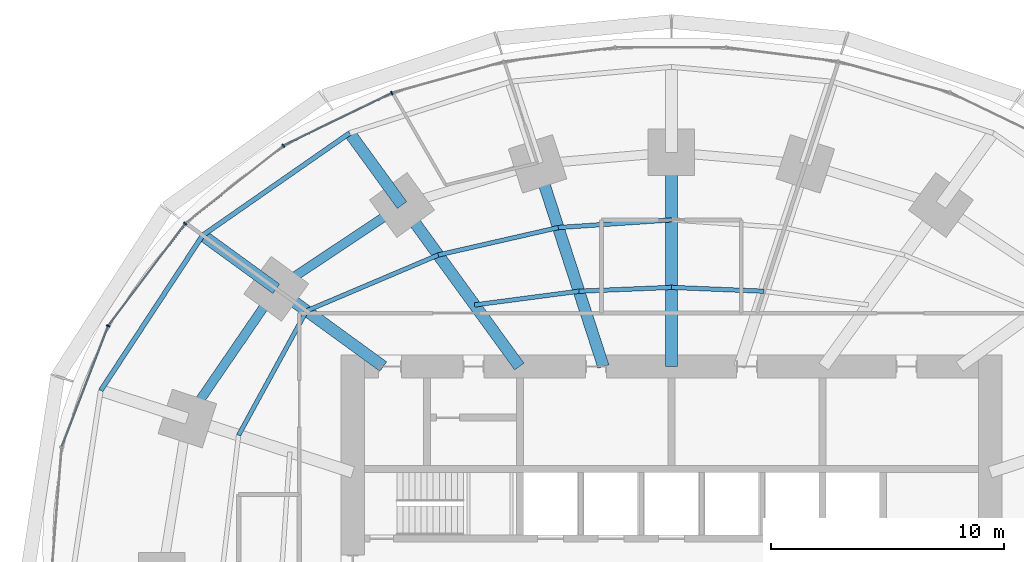
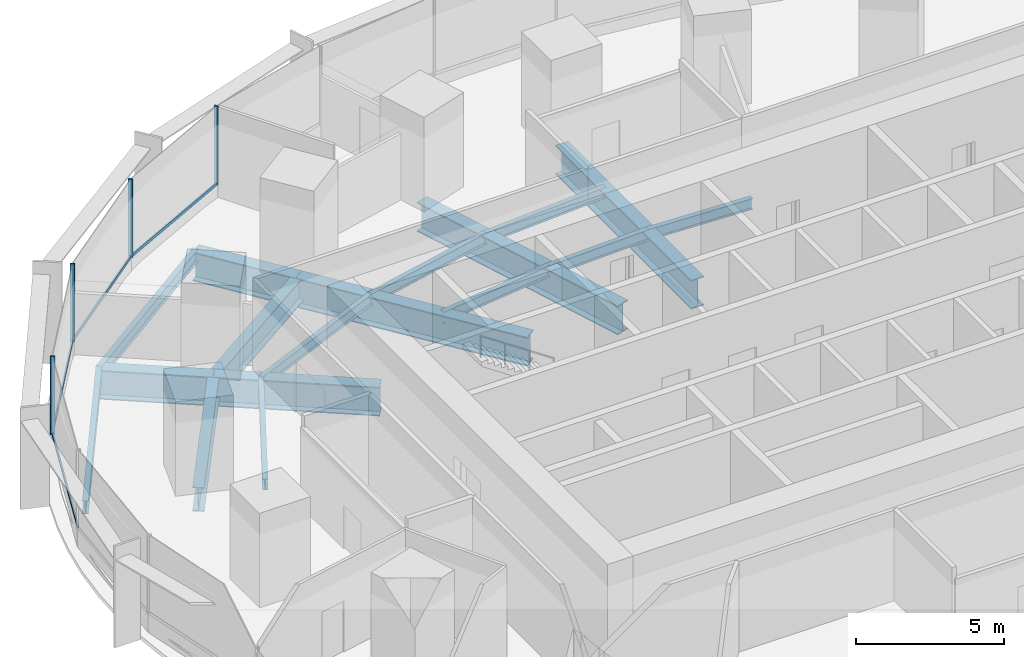
# One storey, part 7 of 15: 17 beams, 8 members, 1 element without a shape of its own.
"""IFC4 building model written with IfcOpenShell, lengths in metres."""

from ifc_helpers import new_model, si_unit, direction, frame, origin, origin_2d, place, context, subcontext, project, spatial, rectangle, i_section, extrude, material, material_profile, profile_set, type_object, element, aggregate, save


model = new_model("IFC4")

# Units and contexts
model_context = context("Model", 3, precision=1e-05, world=origin(), true_north=direction((0.0, 1.0)))
body_context = subcontext(model_context, "Body", "Model", "MODEL_VIEW")
ifc_project = project(units=[si_unit("LENGTHUNIT", "METRE"), si_unit("AREAUNIT", "SQUARE_METRE"), si_unit("VOLUMEUNIT", "CUBIC_METRE"), si_unit("PLANEANGLEUNIT", "RADIAN"), si_unit("MASSUNIT", "GRAM", prefix="KILO")], contexts=[model_context])

# Site, building, storey
site_placement = place(None, origin())
site = spatial("IfcSite", under=ifc_project, at=site_placement, CompositionType="ELEMENT")
building_placement = place(site_placement, origin())
building = spatial("IfcBuilding", under=site, at=building_placement, Name="Marramba Exchange Tower", CompositionType="ELEMENT")
storey_placement = place(building_placement, frame((0.0, 0.0, 65.800048828125)))
storey = spatial("IfcBuildingStorey", under=building, at=storey_placement, Name="L15", CompositionType="ELEMENT", Elevation=65.800048828125)

# Beams
ifc_material_1 = material(Name="Steel AS/NZS 3679.2 grade 300", Category="steel")
ifc_material_profile_1 = material_profile(ifc_material_1, i_section(OverallWidth=0.5, OverallDepth=1.199951171875, WebThickness=0.01611328125, FlangeThickness=0.0400390625, at=origin_2d()), Name="1200WB455")
ifc_profile_set_1 = profile_set([ifc_material_profile_1], Name="Steel AS/NZS 3679.2 grade 300")
beam_type_1 = type_object("IfcBeamType", Name="Cantilever girder 1200WB455", PredefinedType="BEAM", material=ifc_profile_set_1)
beam_1_placement = place(storey_placement, frame((-11.581298828125, 15.9404296875, -0.760009765625), z_axis=(-0.587795827483, 0.809009310944, 0.0), x_axis=(-0.809009310944, -0.587795827483, 0.0)))
element("IfcBeam", 1, at=beam_1_placement, inside=storey, type_object=beam_type_1, Name="Cantilever girder L15 TC08", PredefinedType="BEAM", context=body_context, shape_type="SweptSolid", body=[
    extrude(i_section(OverallWidth=0.5, OverallDepth=1.199951171875, WebThickness=0.01611328125, FlangeThickness=0.0400390625, at=origin_2d()), origin(), (0.0, 0.0, 1.0), 3.82421875),
])
beam_2_placement = place(storey_placement, frame((-16.98583984375, 12.3408203125, -0.760009765625), z_axis=(-0.808987260856, 0.587826174793, 0.0), x_axis=(-0.587826174793, -0.808987260856, 0.0)))
element("IfcBeam", 2, at=beam_2_placement, inside=storey, type_object=beam_type_1, Name="Cantilever girder L15 TC09", PredefinedType="BEAM", context=body_context, shape_type="SweptSolid", body=[
    extrude(i_section(OverallWidth=0.5, OverallDepth=1.199951171875, WebThickness=0.01611328125, FlangeThickness=0.0400390625, at=origin_2d()), origin(), (0.0, 0.0, 1.0), 3.90771484375),
])
ifc_material_2 = material(Name="Steel AS/NZS 3679.1 grade 300", Category="steel")
ifc_material_profile_2 = material_profile(ifc_material_2, i_section(OverallWidth=0.18994140625, OverallDepth=0.4541015625, WebThickness=0.008544921875, FlangeThickness=0.0126953125, FilletRadius=0.011474609375, at=origin_2d()), Name="460UB67.1")
ifc_profile_set_2 = profile_set([ifc_material_profile_2], Name="Steel AS/NZS 3679.1 grade 300")
beam_type_2 = type_object("IfcBeamType", Name="Floor joist 460UB67.1", PredefinedType="JOIST", material=ifc_profile_set_2)
for number, where, z_axis, x_axis, name in (
    (3, (3.975830078125, 12.236083984375, -0.386962890625), (-0.999137002892, 0.041536122257, 0.0), (-0.041536122257, -0.999137002892, 0.0), "Joist L15 bay 05 row 1"),
    (4, (0.0, 12.4013671875, -0.386962890625), (-0.999137002892, -0.041536122257, 0.0), (0.041536122257, -0.999137002892, 0.0), "Joist L15 bay 06 row 1"),
):
    element("IfcBeam", number, at=place(storey_placement, frame(where, z_axis=z_axis, x_axis=x_axis)), inside=storey, type_object=beam_type_2, Name=name, PredefinedType="JOIST", context=body_context, shape_type="SweptSolid", body=[
        extrude(i_section(OverallWidth=0.18994140625, OverallDepth=0.4541015625, WebThickness=0.008544921875, FlangeThickness=0.0126953125, FilletRadius=0.011474609375, at=origin_2d()), origin(), (0.0, 0.0, 1.0), 3.979248046875),
    ])
beam_3_placement = place(storey_placement, frame((0.0, 15.302734375, -0.386962890625), z_axis=(-0.997702652202, -0.067745241816, 0.0), x_axis=(0.067745241816, -0.997702652202, 0.0)))
element("IfcBeam", 5, at=beam_3_placement, inside=storey, type_object=beam_type_2, Name="Joist L15 bay 06 row 2", PredefinedType="JOIST", context=body_context, shape_type="SweptSolid", body=[
    extrude(i_section(OverallWidth=0.18994140625, OverallDepth=0.4541015625, WebThickness=0.008544921875, FlangeThickness=0.0126953125, FilletRadius=0.011474609375, at=origin_2d()), origin(), (0.0, 0.0, 1.0), 4.8759765625),
])
beam_4_placement = place(storey_placement, frame((-3.975830078125, 12.236083984375, -0.386962890625), z_axis=(-0.991480538255, -0.130254912618, 0.0), x_axis=(0.130254912618, -0.991480538255, 0.0)))
element("IfcBeam", 6, at=beam_4_placement, inside=storey, type_object=beam_type_2, Name="Joist L15 bay 07 row 1", PredefinedType="JOIST", context=body_context, shape_type="SweptSolid", body=[
    extrude(i_section(OverallWidth=0.18994140625, OverallDepth=0.4541015625, WebThickness=0.008544921875, FlangeThickness=0.0126953125, FilletRadius=0.011474609375, at=origin_2d()), origin(), (0.0, 0.0, 1.0), 4.524658203125),
])
beam_5_placement = place(storey_placement, frame((-4.86474609375, 14.972412109375, -0.386962890625), z_axis=(-0.974859652292, -0.222819788916, 0.0), x_axis=(0.222819788916, -0.974859652292, 0.0)))
element("IfcBeam", 7, at=beam_5_placement, inside=storey, type_object=beam_type_2, Name="Joist L15 bay 07 row 2", PredefinedType="JOIST", context=body_context, shape_type="SweptSolid", body=[
    extrude(i_section(OverallWidth=0.18994140625, OverallDepth=0.4541015625, WebThickness=0.008544921875, FlangeThickness=0.0126953125, FilletRadius=0.011474609375, at=origin_2d()), origin(), (0.0, 0.0, 1.0), 5.2900390625),
])
beam_6_placement = place(storey_placement, frame((-10.021728515625, 13.793701171875, -0.386962890625), z_axis=(-0.920674336375, -0.390331610738, 0.0), x_axis=(0.390331610738, -0.920674336375, 0.0)))
element("IfcBeam", 8, at=beam_6_placement, inside=storey, type_object=beam_type_2, Name="Joist L15 bay 08 row 2", PredefinedType="JOIST", context=body_context, shape_type="SweptSolid", body=[
    extrude(i_section(OverallWidth=0.18994140625, OverallDepth=0.4541015625, WebThickness=0.008544921875, FlangeThickness=0.0126953125, FilletRadius=0.011474609375, at=origin_2d()), origin(), (0.0, 0.0, 1.0), 6.1484375),
])
beam_7_placement = place(storey_placement, frame((-15.682373046875, 11.393798828125, -0.386962890625), z_axis=(-0.479584443791, -0.877495732909, 0.0), x_axis=(0.877495732909, -0.479584443791, 0.0)))
element("IfcBeam", 9, at=beam_7_placement, inside=storey, type_object=beam_type_2, Name="Joist L15 bay 09 row 2", PredefinedType="JOIST", context=body_context, shape_type="SweptSolid", body=[
    extrude(i_section(OverallWidth=0.18994140625, OverallDepth=0.4541015625, WebThickness=0.008544921875, FlangeThickness=0.0126953125, FilletRadius=0.011474609375, at=origin_2d()), origin(), (0.0, 0.0, 1.0), 6.094970703125),
])
ifc_material_profile_3 = material_profile(ifc_material_1, i_section(OverallWidth=0.5, OverallDepth=1.199951171875, WebThickness=0.01611328125, FlangeThickness=0.0400390625, at=origin_2d()), Name="1200WB455")
ifc_profile_set_3 = profile_set([ifc_material_profile_3], Name="Steel AS/NZS 3679.2 grade 300")
beam_type_3 = type_object("IfcBeamType", Name="Radial girder 1200WB455", PredefinedType="BEAM", material=ifc_profile_set_3)
beam_8_placement = place(storey_placement, frame((0.0, 9.0, -0.760009765625), z_axis=(0.0, 1.0, 0.0), x_axis=(-1.0, 0.0, 0.0)))
element("IfcBeam", 10, at=beam_8_placement, inside=storey, type_object=beam_type_3, Name="Radial girder L15 TC06", PredefinedType="BEAM", context=body_context, shape_type="SweptSolid", body=[
    extrude(i_section(OverallWidth=0.5, OverallDepth=1.199951171875, WebThickness=0.01611328125, FlangeThickness=0.0400390625, at=origin_2d()), origin(), (0.0, 0.0, 1.0), 9.2041015625),
])
beam_9_placement = place(storey_placement, frame((-2.92431640625, 9.0, -0.760009765625), z_axis=(-0.309019754162, 0.951055619582, 0.0), x_axis=(-0.951055619582, -0.309019754162, 0.0)))
element("IfcBeam", 11, at=beam_9_placement, inside=storey, type_object=beam_type_3, Name="Radial girder L15 TC07", PredefinedType="BEAM", context=body_context, shape_type="SweptSolid", body=[
    extrude(i_section(OverallWidth=0.5, OverallDepth=1.199951171875, WebThickness=0.01611328125, FlangeThickness=0.0400390625, at=origin_2d()), origin(), (0.0, 0.0, 1.0), 9.15673828125),
])
beam_10_placement = place(storey_placement, frame((-6.538818359375, 9.0, -0.760009765625), z_axis=(-0.587782439969, 0.80901903764, 0.0), x_axis=(-0.80901903764, -0.587782439969, 0.0)))
element("IfcBeam", 12, at=beam_10_placement, inside=storey, type_object=beam_type_3, Name="Radial girder L15 TC08", PredefinedType="BEAM", context=body_context, shape_type="SweptSolid", body=[
    extrude(i_section(OverallWidth=0.5, OverallDepth=1.199951171875, WebThickness=0.01611328125, FlangeThickness=0.0400390625, at=origin_2d()), origin(), (0.0, 0.0, 1.0), 8.578857421875),
])
beam_11_placement = place(storey_placement, frame((-12.387451171875, 9.0, -0.760009765625), z_axis=(-0.809025746925, 0.587773205252, 0.0), x_axis=(-0.587773205252, -0.809025746925, 0.0)))
element("IfcBeam", 13, at=beam_11_placement, inside=storey, type_object=beam_type_3, Name="Radial girder L15 TC09", PredefinedType="BEAM", context=body_context, shape_type="SweptSolid", body=[
    extrude(i_section(OverallWidth=0.5, OverallDepth=1.199951171875, WebThickness=0.01611328125, FlangeThickness=0.0400390625, at=origin_2d()), origin(), (0.0, 0.0, 1.0), 5.683837890625),
])
ifc_material_profile_4 = material_profile(ifc_material_1, i_section(OverallWidth=0.39990234375, OverallDepth=1.0, WebThickness=0.01611328125, FlangeThickness=0.031982421875, at=origin_2d()), Name="1000WB322")
ifc_profile_set_4 = profile_set([ifc_material_profile_4], Name="Steel AS/NZS 3679.2 grade 300")
beam_type_4 = type_object("IfcBeamType", Name="Ring beam 1000WB322", PredefinedType="SPANDREL", material=ifc_profile_set_4)
beam_12_placement = place(storey_placement, frame((-11.581298828125, 15.9404296875, -0.66015625), z_axis=(-0.832293151443, -0.554335737673, 0.0), x_axis=(0.554335737673, -0.832293151443, 0.0)))
element("IfcBeam", 14, at=beam_12_placement, inside=storey, type_object=beam_type_4, Name="Ring beam L15 TC08-TC09", PredefinedType="SPANDREL", context=body_context, shape_type="SweptSolid", body=[
    extrude(i_section(OverallWidth=0.39990234375, OverallDepth=1.0, WebThickness=0.01611328125, FlangeThickness=0.031982421875, at=origin_2d()), origin(), (0.0, 0.0, 1.0), 6.49365234375),
])
beam_13_placement = place(storey_placement, frame((-16.98583984375, 12.3408203125, -0.66015625), z_axis=(-0.56516002054, -0.824981303535, 0.0), x_axis=(0.824981303535, -0.56516002054, 0.0)))
element("IfcBeam", 15, at=beam_13_placement, inside=storey, type_object=beam_type_4, Name="Ring beam L15 TC09-TC10", PredefinedType="SPANDREL", context=body_context, shape_type="SweptSolid", body=[
    extrude(i_section(OverallWidth=0.39990234375, OverallDepth=1.0, WebThickness=0.01611328125, FlangeThickness=0.031982421875, at=origin_2d()), origin(), (0.0, 0.0, 1.0), 6.763671875),
])
ifc_material_profile_5 = material_profile(ifc_material_2, i_section(OverallWidth=0.208984375, OverallDepth=0.528076171875, WebThickness=0.009521484375, FlangeThickness=0.01318359375, FilletRadius=0.013916015625, at=origin_2d()), Name="530UB82.0")
ifc_profile_set_5 = profile_set([ifc_material_profile_5], Name="Steel AS/NZS 3679.1 grade 300")
beam_type_5 = type_object("IfcBeamType", Name="Slab edge beam 530UB82.0", PredefinedType="SPANDREL", material=ifc_profile_set_5)
beam_14_placement = place(storey_placement, frame((-13.8291015625, 19.0341796875, -0.424072265625), z_axis=(-0.820842487183, -0.571154629882, 0.0), x_axis=(0.571154629882, -0.820842487183, 0.0)))
element("IfcBeam", 16, at=beam_14_placement, inside=storey, type_object=beam_type_5, Name="Slab edge beam L15 TC08-TC09", PredefinedType="SPANDREL", context=body_context, shape_type="SweptSolid", body=[
    extrude(i_section(OverallWidth=0.208984375, OverallDepth=0.528076171875, WebThickness=0.009521484375, FlangeThickness=0.01318359375, FilletRadius=0.013916015625, at=origin_2d()), origin(), (0.0, 0.0, 1.0), 7.697021484375),
])
beam_15_placement = place(storey_placement, frame((-20.147216796875, 14.637939453125, -0.424072265625), z_axis=(-0.549123544095, -0.835741188001, 0.0), x_axis=(0.835741188001, -0.549123544095, 0.0)))
element("IfcBeam", 17, at=beam_15_placement, inside=storey, type_object=beam_type_5, Name="Slab edge beam L15 TC09-TC10", PredefinedType="SPANDREL", context=body_context, shape_type="SweptSolid", body=[
    extrude(i_section(OverallWidth=0.208984375, OverallDepth=0.528076171875, WebThickness=0.009521484375, FlangeThickness=0.01318359375, FilletRadius=0.013916015625, at=origin_2d()), origin(), (0.0, 0.0, 1.0), 7.978759765625),
])

# Curtain wall, members
ifc_material_3 = material(Name="Aluminium framing, bronze anodised", Category="aluminium")
curtain_wall_type = type_object("IfcCurtainWallType", Name="Trading floor ribbon curtain wall", PredefinedType="USERDEFINED", material=ifc_material_3)
curtain_wall_placement = place(storey_placement, origin())
curtain_wall = element("IfcCurtainWall", 18, at=curtain_wall_placement, inside=storey, type_object=curtain_wall_type, Name="Curtain wall CW3 L15 F11-F15", ObjectType="RIBBON CURTAIN WALL", PredefinedType="USERDEFINED")
ifc_material_4 = material(Name="Aluminium mullion, bronze anodised", Category="aluminium")
ifc_material_profile_6 = material_profile(ifc_material_4, rectangle(XDim=0.159912109375, YDim=0.06005859375, at=origin_2d()), Name="CW3 mullion 60x160")
ifc_profile_set_6 = profile_set([ifc_material_profile_6], Name="Aluminium mullion, bronze anodised")
member_type_1 = type_object("IfcMemberType", Name="Trading floor ribbon curtain wall mullion", PredefinedType="MULLION", material=ifc_profile_set_6)
member_1_placement = place(storey_placement, frame((-12.016357421875, 20.7529296875, 0.800048828125), z_axis=(0.0, 0.0, 1.0), x_axis=(0.43596538664, -0.899963433508, 0.0)))
member_1 = element("IfcMember", 19, at=member_1_placement, type_object=member_type_1, Name="CW3 mullion 1", PredefinedType="MULLION", context=body_context, shape_type="SweptSolid", body=[
    extrude(rectangle(XDim=0.159912109375, YDim=0.06005859375, at=origin_2d()), origin(), (0.0, 0.0, 1.0), 3.239990234375),
])
member_2_placement = place(storey_placement, frame((-16.683837890625, 18.484619140625, 0.800048828125), z_axis=(0.0, 0.0, 1.0), x_axis=(0.620649730166, -0.784087949432, 0.0)))
member_2 = element("IfcMember", 20, at=member_2_placement, type_object=member_type_1, Name="CW3 mullion 1", PredefinedType="MULLION", context=body_context, shape_type="SweptSolid", body=[
    extrude(rectangle(XDim=0.159912109375, YDim=0.06005859375, at=origin_2d()), origin(), (0.0, 0.0, 1.0), 3.239990234375),
])
member_3_placement = place(storey_placement, frame((-20.8935546875, 15.142822265625, 0.800048828125), z_axis=(0.0, 0.0, 1.0), x_axis=(0.797748922445, -0.602989765036, 0.0)))
member_3 = element("IfcMember", 21, at=member_3_placement, type_object=member_type_1, Name="CW3 mullion 1", PredefinedType="MULLION", context=body_context, shape_type="SweptSolid", body=[
    extrude(rectangle(XDim=0.159912109375, YDim=0.06005859375, at=origin_2d()), origin(), (0.0, 0.0, 1.0), 3.239990234375),
])
member_4_placement = place(storey_placement, frame((-24.207275390625, 10.7451171875, 0.800048828125), z_axis=(0.0, 0.0, 1.0), x_axis=(0.933135256626, -0.359525510698, 0.0)))
member_4 = element("IfcMember", 22, at=member_4_placement, type_object=member_type_1, Name="CW3 mullion 1", PredefinedType="MULLION", context=body_context, shape_type="SweptSolid", body=[
    extrude(rectangle(XDim=0.159912109375, YDim=0.06005859375, at=origin_2d()), origin(), (0.0, 0.0, 1.0), 3.239990234375),
])
ifc_material_5 = material(Name="Aluminium transom, bronze anodised", Category="aluminium")
ifc_material_profile_7 = material_profile(ifc_material_5, rectangle(XDim=0.06005859375, YDim=0.1201171875, at=origin_2d()), Name="CW3 transom 60x120")
ifc_profile_set_7 = profile_set([ifc_material_profile_7], Name="Aluminium transom, bronze anodised")
member_type_2 = type_object("IfcMemberType", Name="Trading floor ribbon curtain wall transom", PredefinedType="USERDEFINED", material=ifc_profile_set_7)
member_5_placement = place(storey_placement, frame((-12.043212890625, 20.739990234375, 0.829833984375), z_axis=(-0.89995331781, -0.43598626786, 0.0), x_axis=(0.43598626786, -0.89995331781, 0.0)))
member_5 = element("IfcMember", 23, at=member_5_placement, type_object=member_type_2, Name="CW3 sill transom", ObjectType="TRANSOM", PredefinedType="USERDEFINED", context=body_context, shape_type="SweptSolid", body=[
    extrude(rectangle(XDim=0.06005859375, YDim=0.1201171875, at=origin_2d()), origin(), (0.0, 0.0, 1.0), 5.13037109375),
])
member_6_placement = place(storey_placement, frame((-16.70751953125, 18.466064453125, 0.829833984375), z_axis=(-0.784075625018, -0.620665299701, 0.0), x_axis=(0.620665299701, -0.784075625018, 0.0)))
member_6 = element("IfcMember", 24, at=member_6_placement, type_object=member_type_2, Name="CW3 sill transom", ObjectType="TRANSOM", PredefinedType="USERDEFINED", context=body_context, shape_type="SweptSolid", body=[
    extrude(rectangle(XDim=0.06005859375, YDim=0.1201171875, at=origin_2d()), origin(), (0.0, 0.0, 1.0), 5.315673828125),
])
member_7_placement = place(storey_placement, frame((-20.91162109375, 15.118896484375, 0.829833984375), z_axis=(-0.602985866158, -0.797751869452, 0.0), x_axis=(0.797751869452, -0.602985866158, 0.0)))
member_7 = element("IfcMember", 25, at=member_7_placement, type_object=member_type_2, Name="CW3 sill transom", ObjectType="TRANSOM", PredefinedType="USERDEFINED", context=body_context, shape_type="SweptSolid", body=[
    extrude(rectangle(XDim=0.06005859375, YDim=0.1201171875, at=origin_2d()), origin(), (0.0, 0.0, 1.0), 5.44775390625),
])
member_8_placement = place(storey_placement, frame((-24.218017578125, 10.717041015625, 0.829833984375), z_axis=(-0.359533581349, -0.933132147063, 0.0), x_axis=(0.933132147063, -0.359533581349, 0.0)))
member_8 = element("IfcMember", 26, at=member_8_placement, type_object=member_type_2, Name="CW3 sill transom", ObjectType="TRANSOM", PredefinedType="USERDEFINED", context=body_context, shape_type="SweptSolid", body=[
    extrude(rectangle(XDim=0.06005859375, YDim=0.1201171875, at=origin_2d()), origin(), (0.0, 0.0, 1.0), 5.5166015625),
])
aggregate(curtain_wall, [member_1, member_5, member_2, member_6, member_3, member_7, member_4, member_8])

save(model, "model.ifc")
